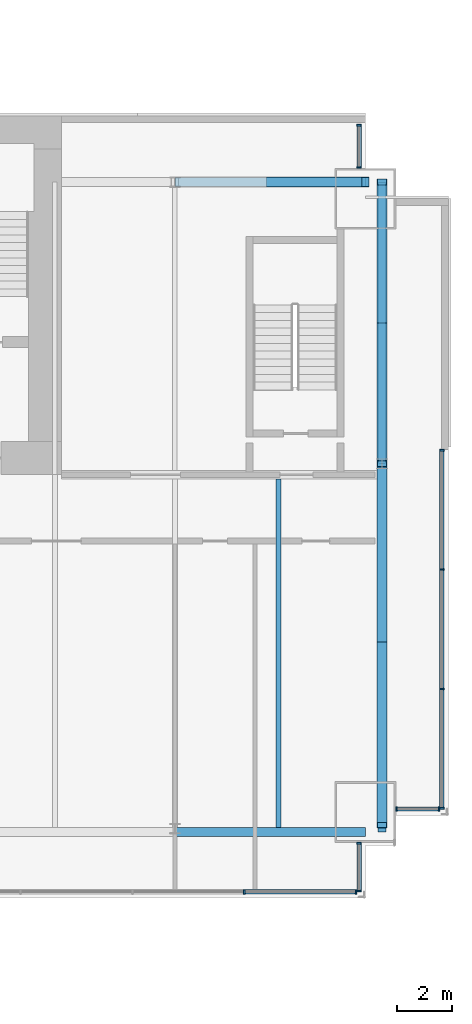
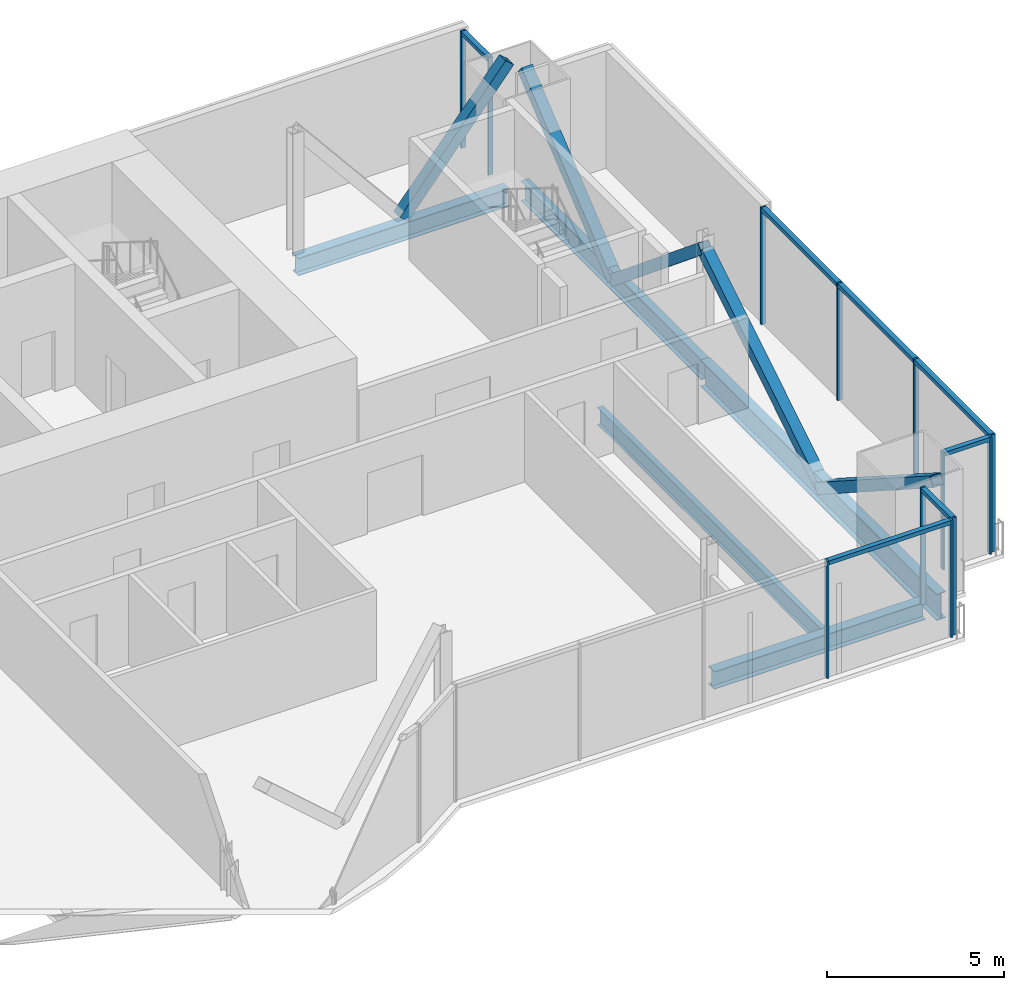
# One storey, part 11 of 19: 24 members, 5 beams, 5 elements without a shape of their own.
"""IFC4 building model written with IfcOpenShell, lengths in metres."""

from ifc_helpers import new_model, si_unit, direction, frame, origin, origin_2d, place, context, subcontext, project, spatial, rectangle, hollow_rectangle, i_section, extrude, material, material_profile, profile_set, type_object, element, aggregate, save


model = new_model("IFC4")

# Units and contexts
model_context = context("Model", 3, precision=1e-05, world=origin(), true_north=direction((0.0, 1.0)))
body_context = subcontext(model_context, "Body", "Model", "MODEL_VIEW")
ifc_project = project(units=[si_unit("LENGTHUNIT", "METRE"), si_unit("AREAUNIT", "SQUARE_METRE"), si_unit("VOLUMEUNIT", "CUBIC_METRE"), si_unit("PLANEANGLEUNIT", "RADIAN"), si_unit("MASSUNIT", "GRAM", prefix="KILO")], contexts=[model_context])

# Site, building, storey
site_placement = place(None, origin())
site = spatial("IfcSite", under=ifc_project, at=site_placement, CompositionType="ELEMENT")
building_placement = place(site_placement, origin())
building = spatial("IfcBuilding", under=site, at=building_placement, Name="Bicima Exchange Tower", CompositionType="ELEMENT")
storey_placement = place(building_placement, frame((0.0, 0.0, 275.0)))
storey = spatial("IfcBuildingStorey", under=building, at=storey_placement, Name="L62", CompositionType="ELEMENT", Elevation=275.0)

# Curtain wall, members
ifc_material_1 = material(Name="Anodised bronze aluminium", Category="aluminium")
curtain_wall_type_1 = type_object("IfcCurtainWallType", Name="End face glass wall", PredefinedType="NOTDEFINED", material=ifc_material_1)
curtain_wall_1_placement = place(storey_placement, origin())
curtain_wall_1 = element("IfcCurtainWall", 1, at=curtain_wall_1_placement, inside=storey, type_object=curtain_wall_type_1, Name="End face glass wall L62 run 19", PredefinedType="NOTDEFINED")
ifc_material_profile_1 = material_profile(ifc_material_1, rectangle(XDim=0.159912109375, YDim=0.06005859375, at=origin_2d()))
ifc_profile_set_1 = profile_set([ifc_material_profile_1], Name="Anodised bronze aluminium")
member_type_1 = type_object("IfcMemberType", Name="End face glass wall mullion 60 x 160", PredefinedType="MULLION", material=ifc_profile_set_1)
member_1_placement = place(storey_placement, frame((35.77001953125, -25.075927734375, 0.0), z_axis=(0.0, 0.0, 1.0), x_axis=(-1.0, 0.0, 0.0)))
member_1 = element("IfcMember", 2, at=member_1_placement, type_object=member_type_1, Name="End face glass wall mullion 1", PredefinedType="MULLION", context=body_context, shape_type="SweptSolid", body=[
    extrude(rectangle(XDim=0.159912109375, YDim=0.06005859375, at=origin_2d()), origin(), (0.0, 0.0, 1.0), 4.050048828125),
])
member_2_placement = place(storey_placement, frame((35.77001953125, -20.75390625, 0.0), z_axis=(0.0, 0.0, 1.0), x_axis=(-1.0, 0.0, 0.0)))
member_2 = element("IfcMember", 3, at=member_2_placement, type_object=member_type_1, Name="End face glass wall mullion 2", PredefinedType="MULLION", context=body_context, shape_type="SweptSolid", body=[
    extrude(rectangle(XDim=0.159912109375, YDim=0.06005859375, at=origin_2d()), origin(), (0.0, 0.0, 1.0), 4.050048828125),
])
member_3_placement = place(storey_placement, frame((35.77001953125, -16.431884765625, 0.0), z_axis=(0.0, 0.0, 1.0), x_axis=(-1.0, 0.0, 0.0)))
member_3 = element("IfcMember", 4, at=member_3_placement, type_object=member_type_1, Name="End face glass wall mullion 3", PredefinedType="MULLION", context=body_context, shape_type="SweptSolid", body=[
    extrude(rectangle(XDim=0.159912109375, YDim=0.06005859375, at=origin_2d()), origin(), (0.0, 0.0, 1.0), 4.050048828125),
])
member_4_placement = place(storey_placement, frame((35.77001953125, -12.110107421875, 0.0), z_axis=(0.0, 0.0, 1.0), x_axis=(-1.0, 0.0, 0.0)))
member_4 = element("IfcMember", 5, at=member_4_placement, type_object=member_type_1, Name="End face glass wall mullion 4", PredefinedType="MULLION", context=body_context, shape_type="SweptSolid", body=[
    extrude(rectangle(XDim=0.159912109375, YDim=0.06005859375, at=origin_2d()), origin(), (0.0, 0.0, 1.0), 4.050048828125),
])
ifc_material_profile_2 = material_profile(ifc_material_1, rectangle(XDim=0.159912109375, YDim=0.139892578125, at=origin_2d()))
ifc_profile_set_2 = profile_set([ifc_material_profile_2], Name="Anodised bronze aluminium")
member_type_2 = type_object("IfcMemberType", Name="End face glass wall transom 140 x 160", PredefinedType="USERDEFINED", material=ifc_profile_set_2)
member_5_placement = place(storey_placement, frame((35.77001953125, -25.0458984375, 3.97998046875), z_axis=(0.0, 1.0, 0.0), x_axis=(-1.0, 0.0, 0.0)))
member_5 = element("IfcMember", 6, at=member_5_placement, type_object=member_type_2, Name="End face glass wall transom 1.1", ObjectType="TRANSOM", PredefinedType="USERDEFINED", context=body_context, shape_type="SweptSolid", body=[
    extrude(rectangle(XDim=0.159912109375, YDim=0.139892578125, at=origin_2d()), origin(), (0.0, 0.0, 1.0), 4.261962890625),
])
member_6_placement = place(storey_placement, frame((35.77001953125, -20.72412109375, 3.97998046875), z_axis=(0.0, 1.0, 0.0), x_axis=(-1.0, 0.0, 0.0)))
member_6 = element("IfcMember", 7, at=member_6_placement, type_object=member_type_2, Name="End face glass wall transom 2.1", ObjectType="TRANSOM", PredefinedType="USERDEFINED", context=body_context, shape_type="SweptSolid", body=[
    extrude(rectangle(XDim=0.159912109375, YDim=0.139892578125, at=origin_2d()), origin(), (0.0, 0.0, 1.0), 4.26220703125),
])
member_7_placement = place(storey_placement, frame((35.77001953125, -16.402099609375, 3.97998046875), z_axis=(0.0, 1.0, 0.0), x_axis=(-1.0, 0.0, 0.0)))
member_7 = element("IfcMember", 8, at=member_7_placement, type_object=member_type_2, Name="End face glass wall transom 3.1", ObjectType="TRANSOM", PredefinedType="USERDEFINED", context=body_context, shape_type="SweptSolid", body=[
    extrude(rectangle(XDim=0.159912109375, YDim=0.139892578125, at=origin_2d()), origin(), (0.0, 0.0, 1.0), 4.26220703125),
])
aggregate(curtain_wall_1, [member_1, member_2, member_3, member_4, member_5, member_6, member_7])

# Beams
ifc_material_2 = material(Name="Steel ASTM A992 Gr 50", Category="steel")
ifc_material_profile_3 = material_profile(ifc_material_2, i_section(OverallWidth=0.256591796875, OverallDepth=0.693359375, WebThickness=0.014404296875, FlangeThickness=0.023681640625, at=origin_2d()))
ifc_profile_set_3 = profile_set([ifc_material_profile_3], Name="Steel ASTM A992 Gr 50")
beam_type_1 = type_object("IfcBeamType", Name="End girder W27x114", PredefinedType="BEAM", material=ifc_profile_set_3)
beam_1_placement = place(storey_placement, frame((33.60009765625, -2.39990234375, -0.49658203125), z_axis=(0.0, -1.0, 0.0), x_axis=(1.0, 0.0, 0.0)))
element("IfcBeam", 9, at=beam_1_placement, inside=storey, type_object=beam_type_1, Name="End girder", PredefinedType="BEAM", context=body_context, shape_type="SweptSolid", body=[
    extrude(i_section(OverallWidth=0.256591796875, OverallDepth=0.693359375, WebThickness=0.014404296875, FlangeThickness=0.023681640625, at=origin_2d()), origin(), (0.0, 0.0, 1.0), 10.2001953125),
])
ifc_material_profile_4 = material_profile(ifc_material_2, i_section(OverallWidth=0.3046875, OverallDepth=0.911865234375, WebThickness=0.015869140625, FlangeThickness=0.02392578125, at=origin_2d()))
ifc_profile_set_4 = profile_set([ifc_material_profile_4], Name="Steel ASTM A992 Gr 50")
beam_type_2 = type_object("IfcBeamType", Name="End girder W36x150", PredefinedType="BEAM", material=ifc_profile_set_4)
beam_2_placement = place(storey_placement, frame((33.60009765625, -12.60009765625, -0.60595703125), z_axis=(0.0, -1.0, 0.0), x_axis=(1.0, 0.0, 0.0)))
element("IfcBeam", 10, at=beam_2_placement, inside=storey, type_object=beam_type_2, Name="End girder", PredefinedType="BEAM", context=body_context, shape_type="SweptSolid", body=[
    extrude(i_section(OverallWidth=0.3046875, OverallDepth=0.911865234375, WebThickness=0.015869140625, FlangeThickness=0.02392578125, at=origin_2d()), origin(), (0.0, 0.0, 1.0), 13.3359375),
])
ifc_material_profile_5 = material_profile(ifc_material_2, i_section(OverallWidth=0.177978515625, OverallDepth=0.599365234375, WebThickness=0.010009765625, FlangeThickness=0.012939453125, at=origin_2d()))
ifc_profile_set_5 = profile_set([ifc_material_profile_5], Name="Steel ASTM A992 Gr 50")
beam_type_3 = type_object("IfcBeamType", Name="Floor beam W24x55", PredefinedType="JOIST", material=ifc_profile_set_5)
beam_3_placement = place(storey_placement, frame((29.85009765625, -13.15234375, -0.44970703125), z_axis=(0.0, -1.0, 0.0), x_axis=(1.0, 0.0, 0.0)))
element("IfcBeam", 11, at=beam_3_placement, inside=storey, type_object=beam_type_3, Name="Floor beam", PredefinedType="JOIST", context=body_context, shape_type="SweptSolid", body=[
    extrude(i_section(OverallWidth=0.177978515625, OverallDepth=0.599365234375, WebThickness=0.010009765625, FlangeThickness=0.012939453125, at=origin_2d()), origin(), (0.0, 0.0, 1.0), 12.62109375),
])
ifc_material_profile_6 = material_profile(ifc_material_2, i_section(OverallWidth=0.3251953125, OverallDepth=0.612060546875, WebThickness=0.0126953125, FlangeThickness=0.01904296875, at=origin_2d()))
ifc_profile_set_6 = profile_set([ifc_material_profile_6], Name="Steel ASTM A992 Gr 50")
beam_type_4 = type_object("IfcBeamType", Name="Front girder W24x104", PredefinedType="BEAM", material=ifc_profile_set_6)
beam_4_placement = place(storey_placement, frame((26.10009765625, -25.93603515625, -0.4560546875), z_axis=(1.0, 0.0, 0.0), x_axis=(0.0, 1.0, 0.0)))
element("IfcBeam", 12, at=beam_4_placement, inside=storey, type_object=beam_type_4, Name="Front girder", PredefinedType="BEAM", context=body_context, shape_type="SweptSolid", body=[
    extrude(i_section(OverallWidth=0.3251953125, OverallDepth=0.612060546875, WebThickness=0.0126953125, FlangeThickness=0.01904296875, at=origin_2d()), origin(), (0.0, 0.0, 1.0), 6.89990234375),
])

# Curtain wall, members
curtain_wall_type_2 = type_object("IfcCurtainWallType", Name="Front glass wall", PredefinedType="NOTDEFINED", material=ifc_material_1)
curtain_wall_2_placement = place(storey_placement, origin())
curtain_wall_2 = element("IfcCurtainWall", 13, at=curtain_wall_2_placement, inside=storey, type_object=curtain_wall_type_2, Name="Front glass wall L62 run 16", PredefinedType="NOTDEFINED")
member_type_3 = type_object("IfcMemberType", Name="Front glass wall mullion 60 x 160", PredefinedType="MULLION", material=ifc_profile_set_1)
member_8_placement = place(storey_placement, frame((28.610595703125, -28.10595703125, 0.0), z_axis=(0.0, 0.0, 1.0), x_axis=(0.0, 1.0, 0.0)))
member_8 = element("IfcMember", 14, at=member_8_placement, type_object=member_type_3, Name="Front glass wall mullion 4", PredefinedType="MULLION", context=body_context, shape_type="SweptSolid", body=[
    extrude(rectangle(XDim=0.159912109375, YDim=0.06005859375, at=origin_2d()), origin(), (0.0, 0.0, 1.0), 4.050048828125),
])
member_9_placement = place(storey_placement, frame((32.659912109375, -28.10595703125, 0.0), z_axis=(0.0, 0.0, 1.0), x_axis=(0.0, 1.0, 0.0)))
member_9 = element("IfcMember", 15, at=member_9_placement, type_object=member_type_3, Name="Front glass wall mullion 5", PredefinedType="MULLION", context=body_context, shape_type="SweptSolid", body=[
    extrude(rectangle(XDim=0.159912109375, YDim=0.06005859375, at=origin_2d()), origin(), (0.0, 0.0, 1.0), 4.050048828125),
])

curtain_wall_3_placement = place(storey_placement, origin())
curtain_wall_3 = element("IfcCurtainWall", 16, at=curtain_wall_3_placement, inside=storey, type_object=curtain_wall_type_2, Name="Front glass wall L62 run 17", PredefinedType="NOTDEFINED")
member_10_placement = place(storey_placement, frame((32.77001953125, -28.075927734375, 0.0), z_axis=(0.0, 0.0, 1.0), x_axis=(-1.0, 0.0, 0.0)))
member_10 = element("IfcMember", 17, at=member_10_placement, type_object=member_type_3, Name="Front glass wall mullion 1", PredefinedType="MULLION", context=body_context, shape_type="SweptSolid", body=[
    extrude(rectangle(XDim=0.159912109375, YDim=0.06005859375, at=origin_2d()), origin(), (0.0, 0.0, 1.0), 4.050048828125),
])
member_11_placement = place(storey_placement, frame((32.77001953125, -26.343994140625, 0.0), z_axis=(0.0, 0.0, 1.0), x_axis=(-1.0, 0.0, 0.0)))
member_11 = element("IfcMember", 18, at=member_11_placement, type_object=member_type_3, Name="Front glass wall mullion 2", PredefinedType="MULLION", context=body_context, shape_type="SweptSolid", body=[
    extrude(rectangle(XDim=0.159912109375, YDim=0.06005859375, at=origin_2d()), origin(), (0.0, 0.0, 1.0), 4.050048828125),
])

curtain_wall_4_placement = place(storey_placement, origin())
curtain_wall_4 = element("IfcCurtainWall", 19, at=curtain_wall_4_placement, inside=storey, type_object=curtain_wall_type_2, Name="Front glass wall L62 run 18", PredefinedType="NOTDEFINED")
member_12_placement = place(storey_placement, frame((34.1298828125, -25.10595703125, 0.0), z_axis=(0.0, 0.0, 1.0), x_axis=(0.0, 1.0, 0.0)))
member_12 = element("IfcMember", 20, at=member_12_placement, type_object=member_type_3, Name="Front glass wall mullion 1", PredefinedType="MULLION", context=body_context, shape_type="SweptSolid", body=[
    extrude(rectangle(XDim=0.159912109375, YDim=0.06005859375, at=origin_2d()), origin(), (0.0, 0.0, 1.0), 4.050048828125),
])
member_13_placement = place(storey_placement, frame((35.659912109375, -25.10595703125, 0.0), z_axis=(0.0, 0.0, 1.0), x_axis=(0.0, 1.0, 0.0)))
member_13 = element("IfcMember", 21, at=member_13_placement, type_object=member_type_3, Name="Front glass wall mullion 2", PredefinedType="MULLION", context=body_context, shape_type="SweptSolid", body=[
    extrude(rectangle(XDim=0.159912109375, YDim=0.06005859375, at=origin_2d()), origin(), (0.0, 0.0, 1.0), 4.050048828125),
])

curtain_wall_5_placement = place(storey_placement, origin())
curtain_wall_5 = element("IfcCurtainWall", 22, at=curtain_wall_5_placement, inside=storey, type_object=curtain_wall_type_2, Name="Front glass wall L62 run 20", PredefinedType="NOTDEFINED")
member_14_placement = place(storey_placement, frame((32.77001953125, -1.8701171875, 0.0), z_axis=(0.0, 0.0, 1.0), x_axis=(-1.0, 0.0, 0.0)))
member_14 = element("IfcMember", 23, at=member_14_placement, type_object=member_type_3, Name="Front glass wall mullion 1", PredefinedType="MULLION", context=body_context, shape_type="SweptSolid", body=[
    extrude(rectangle(XDim=0.159912109375, YDim=0.06005859375, at=origin_2d()), origin(), (0.0, 0.0, 1.0), 4.050048828125),
])
member_15_placement = place(storey_placement, frame((32.77001953125, -0.340087890625, 0.0), z_axis=(0.0, 0.0, 1.0), x_axis=(-1.0, 0.0, 0.0)))
member_15 = element("IfcMember", 24, at=member_15_placement, type_object=member_type_3, Name="Front glass wall mullion 2", PredefinedType="MULLION", context=body_context, shape_type="SweptSolid", body=[
    extrude(rectangle(XDim=0.159912109375, YDim=0.06005859375, at=origin_2d()), origin(), (0.0, 0.0, 1.0), 4.050048828125),
])

# Member
member_type_4 = type_object("IfcMemberType", Name="Front glass wall transom 140 x 160", PredefinedType="USERDEFINED", material=ifc_profile_set_2)
member_16_placement = place(storey_placement, frame((28.640380859375, -28.10595703125, 3.97998046875), z_axis=(1.0, 0.0, 0.0), x_axis=(0.0, 1.0, 0.0)))
member_16 = element("IfcMember", 25, at=member_16_placement, type_object=member_type_4, Name="Front glass wall transom 4.1", ObjectType="TRANSOM", PredefinedType="USERDEFINED", context=body_context, shape_type="SweptSolid", body=[
    extrude(rectangle(XDim=0.159912109375, YDim=0.139892578125, at=origin_2d()), origin(), (0.0, 0.0, 1.0), 3.989501953125),
])

aggregate(curtain_wall_2, [member_8, member_9, member_16])

member_17_placement = place(storey_placement, frame((32.77001953125, -28.0458984375, 3.97998046875), z_axis=(0.0, 1.0, 0.0), x_axis=(-1.0, 0.0, 0.0)))
member_17 = element("IfcMember", 26, at=member_17_placement, type_object=member_type_4, Name="Front glass wall transom 1.1", ObjectType="TRANSOM", PredefinedType="USERDEFINED", context=body_context, shape_type="SweptSolid", body=[
    extrude(rectangle(XDim=0.159912109375, YDim=0.139892578125, at=origin_2d()), origin(), (0.0, 0.0, 1.0), 1.671875),
])

aggregate(curtain_wall_3, [member_10, member_11, member_17])

member_18_placement = place(storey_placement, frame((34.159912109375, -25.10595703125, 3.97998046875), z_axis=(1.0, 0.0, 0.0), x_axis=(0.0, 1.0, 0.0)))
member_18 = element("IfcMember", 27, at=member_18_placement, type_object=member_type_4, Name="Front glass wall transom 1.1", ObjectType="TRANSOM", PredefinedType="USERDEFINED", context=body_context, shape_type="SweptSolid", body=[
    extrude(rectangle(XDim=0.159912109375, YDim=0.139892578125, at=origin_2d()), origin(), (0.0, 0.0, 1.0), 1.469970703125),
])

aggregate(curtain_wall_4, [member_12, member_13, member_18])

member_19_placement = place(storey_placement, frame((32.77001953125, -1.840087890625, 3.97998046875), z_axis=(0.0, 1.0, 0.0), x_axis=(-1.0, 0.0, 0.0)))
member_19 = element("IfcMember", 28, at=member_19_placement, type_object=member_type_4, Name="Front glass wall transom 1.1", ObjectType="TRANSOM", PredefinedType="USERDEFINED", context=body_context, shape_type="SweptSolid", body=[
    extrude(rectangle(XDim=0.159912109375, YDim=0.139892578125, at=origin_2d()), origin(), (0.0, 0.0, 1.0), 1.469970703125),
])

aggregate(curtain_wall_5, [member_14, member_15, member_19])

# Members
ifc_material_3 = material(Name="Steel ASTM A572 Gr 50", Category="steel")
ifc_material_profile_7 = material_profile(ifc_material_3, hollow_rectangle(XDim=0.355712890625, YDim=0.355712890625, WallThickness=0.0146484375, at=origin_2d()))
ifc_profile_set_7 = profile_set([ifc_material_profile_7], Name="Steel ASTM A572 Gr 50")
member_type_5 = type_object("IfcMemberType", Name="Mega brace HSS14x14x5/8", PredefinedType="BRACE", material=ifc_profile_set_7)
member_20_placement = place(storey_placement, frame((29.550048828125, -2.39990234375, 0.0), z_axis=(0.63473846547, 0.0, 0.772727041362), x_axis=(0.0, 1.0, 0.0)))
element("IfcMember", 29, at=member_20_placement, inside=storey, type_object=member_type_5, Name="Mega brace rear", PredefinedType="BRACE", context=body_context, shape_type="SweptSolid", body=[
    extrude(hollow_rectangle(XDim=0.355712890625, YDim=0.355712890625, WallThickness=0.0146484375, at=origin_2d()), origin(), (0.0, 0.0, 1.0), 5.435302734375),
])
for number, where, z_axis, x_axis, name in (
    (30, (33.60009765625, -7.5, -0.49658203125), (0.0, -0.771939835586, 0.635695595576), (1.0, 0.0, 0.0), "Mega brace east end"),
    (31, (33.60009765625, -7.5, -0.49658203125), (0.0, 0.771939835586, 0.635695595576), (-1.0, 0.0, 0.0), "Mega brace east end"),
):
    element("IfcMember", number, at=place(storey_placement, frame(where, z_axis=z_axis, x_axis=x_axis)), inside=storey, type_object=member_type_5, Name=name, PredefinedType="BRACE", context=body_context, shape_type="SweptSolid", body=[
        extrude(hollow_rectangle(XDim=0.355712890625, YDim=0.355712890625, WallThickness=0.0146484375, at=origin_2d()), origin(), (0.0, 0.0, 1.0), 6.60693359375),
    ])
member_21_placement = place(storey_placement, frame((33.60009765625, -19.14599609375, -0.60595703125), z_axis=(0.0, -0.841653433979, 0.540018052542), x_axis=(1.0, 0.0, 0.0)))
element("IfcMember", 32, at=member_21_placement, inside=storey, type_object=member_type_5, Name="Mega brace east end", PredefinedType="BRACE", context=body_context, shape_type="SweptSolid", body=[
    extrude(hollow_rectangle(XDim=0.355712890625, YDim=0.355712890625, WallThickness=0.0146484375, at=origin_2d()), origin(), (0.0, 0.0, 1.0), 7.77734375),
])
member_22_placement = place(storey_placement, frame((33.60009765625, -19.389892578125, -0.60595703125), z_axis=(0.0, 0.850447570222, 0.526059816279), x_axis=(-1.0, 0.0, 0.0)))
element("IfcMember", 33, at=member_22_placement, inside=storey, type_object=member_type_5, Name="Mega brace east end", PredefinedType="BRACE", context=body_context, shape_type="SweptSolid", body=[
    extrude(hollow_rectangle(XDim=0.355712890625, YDim=0.355712890625, WallThickness=0.0146484375, at=origin_2d()), origin(), (0.0, 0.0, 1.0), 7.98388671875),
])

# Beam
beam_type_5 = type_object("IfcBeamType", Name="Rear girder W24x104", PredefinedType="BEAM", material=ifc_profile_set_6)
beam_5_placement = place(storey_placement, frame((26.10009765625, -2.39990234375, -0.4560546875), z_axis=(1.0, 0.0, 0.0), x_axis=(0.0, 1.0, 0.0)))
element("IfcBeam", 34, at=beam_5_placement, inside=storey, type_object=beam_type_5, Name="Rear girder", PredefinedType="BEAM", context=body_context, shape_type="SweptSolid", body=[
    extrude(i_section(OverallWidth=0.3251953125, OverallDepth=0.612060546875, WebThickness=0.0126953125, FlangeThickness=0.01904296875, at=origin_2d()), origin(), (0.0, 0.0, 1.0), 6.89990234375),
])

save(model, "model.ifc")
